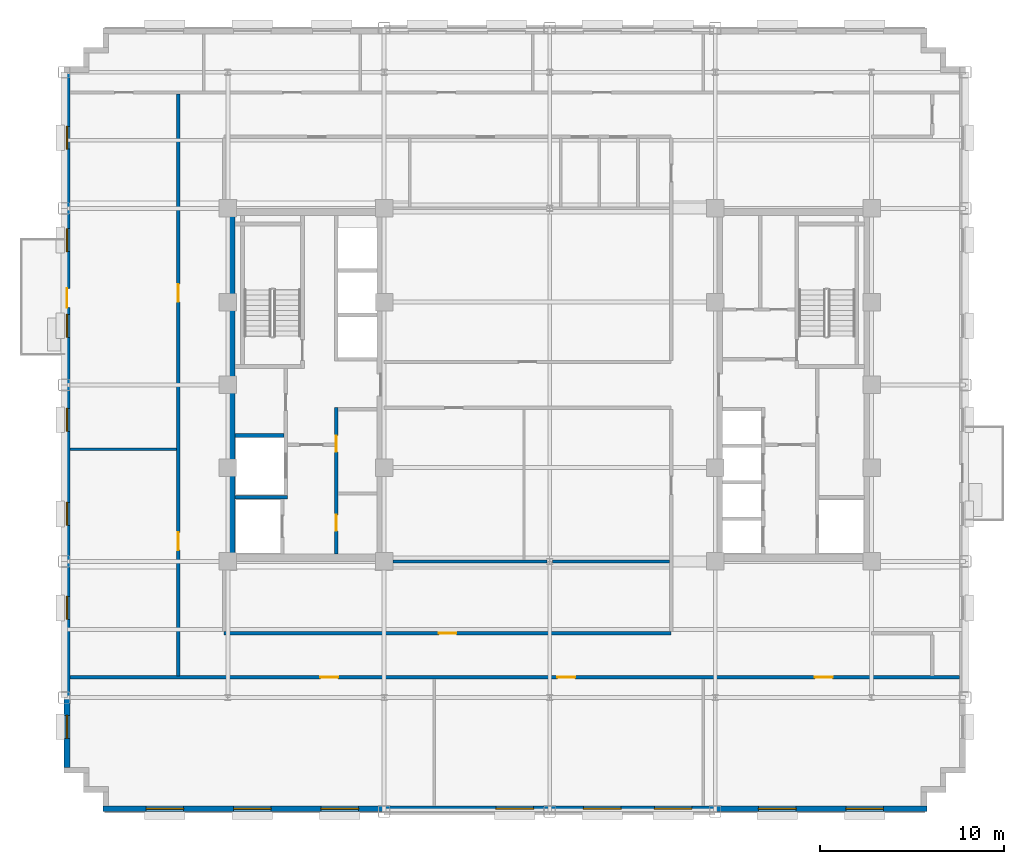
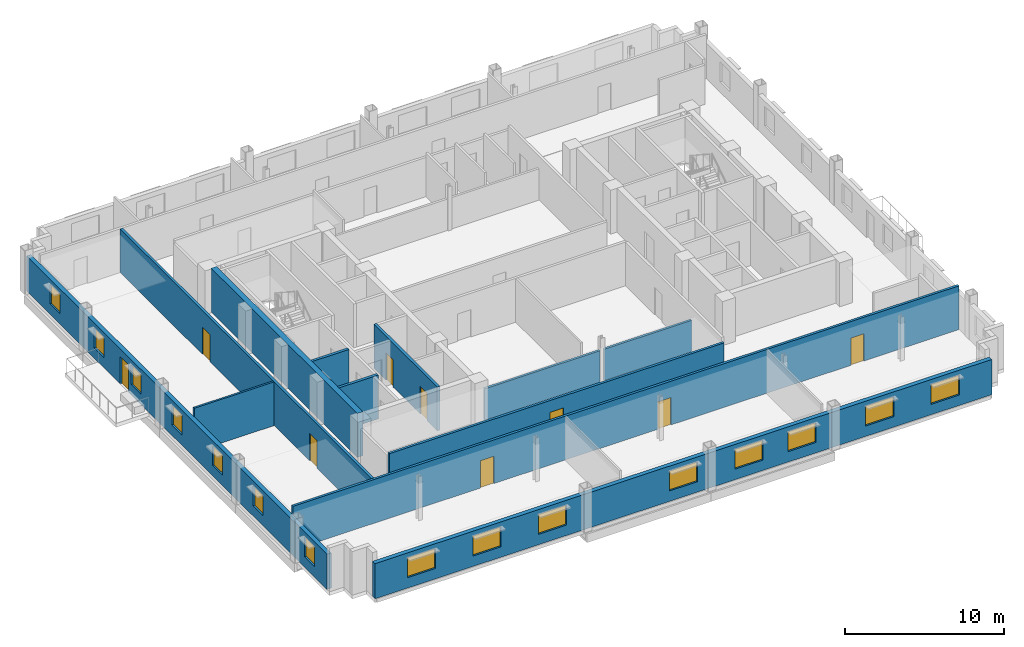
# One storey, part 7 of 14: 15 windows, 12 walls, 9 doors, 24 openings.
"""IFC4 building model written with IfcOpenShell, lengths in metres."""

from ifc_helpers import new_model, si_unit, direction, frame, frame_2d, origin, place, context, subcontext, project, spatial, rectangle, extrude, source, transform, mapped, material, layer, layer_set, type_object, type_shapes, element, fill, save


model = new_model("IFC4")

# Units and contexts
model_context = context("Model", 3, precision=1e-05, world=origin(), true_north=direction((0.0, 1.0)))
body_context = subcontext(model_context, "Body", "Model", "MODEL_VIEW")
ifc_project = project(units=[si_unit("LENGTHUNIT", "METRE"), si_unit("AREAUNIT", "SQUARE_METRE"), si_unit("VOLUMEUNIT", "CUBIC_METRE"), si_unit("PLANEANGLEUNIT", "RADIAN"), si_unit("MASSUNIT", "GRAM", prefix="KILO")], contexts=[model_context])

# Site, building, storey
site_placement = place(None, origin())
site = spatial("IfcSite", under=ifc_project, at=site_placement, CompositionType="ELEMENT")
building_placement = place(site_placement, origin())
building = spatial("IfcBuilding", under=site, at=building_placement, Name="Nuvemarco Arch Tower", CompositionType="ELEMENT")
storey_placement = place(building_placement, frame((0.0, 0.0, 174.949951171875)))
storey = spatial("IfcBuildingStorey", under=building, at=storey_placement, Name="L46", CompositionType="ELEMENT", Elevation=174.949951171875)

# Wall, openings, windows
ifc_material_1 = material(Name="Precast concrete C45/55", Category="concrete")
ifc_layer_1 = layer(ifc_material_1, 0.31005859375, Name="EW-UPP-310")
ifc_layer_set_1 = layer_set([ifc_layer_1], Name="Precast concrete C45/55")
wall_type_1 = type_object("IfcWallType", Name="EW-UPP-310", PredefinedType="STANDARD", material=ifc_layer_set_1)
wall_1_placement = place(storey_placement, frame((-24.300048828125, -23.044921875, 0.0), z_axis=(0.0, 0.0, 1.0), x_axis=(1.0, 0.0, 0.0)))
wall_1 = element("IfcWall", 1, at=wall_1_placement, inside=storey, type_object=wall_type_1, Name="L46 exterior precast facade wall 1", PredefinedType="STANDARD", context=body_context, shape_type="SweptSolid", body=[
    extrude(rectangle(XDim=44.800048828125, YDim=0.31005859375, at=frame_2d((22.39990234375, 0.0))), origin(), (0.0, 0.0, 1.0), 2.705078125),
])
opening_1_placement = place(wall_1_placement, frame((2.352783203125, 0.0, 0.800048828125)))
opening_1 = element("IfcOpeningElement", 2, at=opening_1_placement, cuts=wall_1, Name="Opening WN-12", PredefinedType="OPENING", context=body_context, shape_type="SweptSolid", body=[
    extrude(rectangle(XDim=2.050048828125, YDim=1.52001953125, at=frame_2d((1.02490234375, 0.760009765625))), frame((0.0, 0.1650390625, 0.0), z_axis=(0.0, -1.0, 0.0), x_axis=(1.0, 0.0, 0.0)), (0.0, 0.0, 1.0), 0.330078125),
])
opening_2_placement = place(wall_1_placement, frame((7.1083984375, 0.0, 0.800048828125)))
opening_2 = element("IfcOpeningElement", 3, at=opening_2_placement, cuts=wall_1, Name="Opening WN-12", PredefinedType="OPENING", context=body_context, shape_type="SweptSolid", body=[
    extrude(rectangle(XDim=2.050048828125, YDim=1.52001953125, at=frame_2d((1.02490234375, 0.760009765625))), frame((0.0, 0.1650390625, 0.0), z_axis=(0.0, -1.0, 0.0), x_axis=(1.0, 0.0, 0.0)), (0.0, 0.0, 1.0), 0.330078125),
])
opening_3_placement = place(wall_1_placement, frame((11.864013671875, 0.0, 0.800048828125)))
opening_3 = element("IfcOpeningElement", 4, at=opening_3_placement, cuts=wall_1, Name="Opening WN-12", PredefinedType="OPENING", context=body_context, shape_type="SweptSolid", body=[
    extrude(rectangle(XDim=2.050048828125, YDim=1.52001953125, at=frame_2d((1.02490234375, 0.760009765625))), frame((0.0, 0.1650390625, 0.0), z_axis=(0.0, -1.0, 0.0), x_axis=(1.0, 0.0, 0.0)), (0.0, 0.0, 1.0), 0.330078125),
])
opening_4_placement = place(wall_1_placement, frame((21.375, 0.0, 0.800048828125)))
opening_4 = element("IfcOpeningElement", 5, at=opening_4_placement, cuts=wall_1, Name="Opening WN-12", PredefinedType="OPENING", context=body_context, shape_type="SweptSolid", body=[
    extrude(rectangle(XDim=2.050048828125, YDim=1.52001953125, at=frame_2d((1.02490234375, 0.760009765625))), frame((0.0, 0.1650390625, 0.0), z_axis=(0.0, -1.0, 0.0), x_axis=(1.0, 0.0, 0.0)), (0.0, 0.0, 1.0), 0.330078125),
])
opening_5_placement = place(wall_1_placement, frame((26.130615234375, 0.0, 0.800048828125)))
opening_5 = element("IfcOpeningElement", 6, at=opening_5_placement, cuts=wall_1, Name="Opening WN-12", PredefinedType="OPENING", context=body_context, shape_type="SweptSolid", body=[
    extrude(rectangle(XDim=2.050048828125, YDim=1.52001953125, at=frame_2d((1.02490234375, 0.760009765625))), frame((0.0, 0.1650390625, 0.0), z_axis=(0.0, -1.0, 0.0), x_axis=(1.0, 0.0, 0.0)), (0.0, 0.0, 1.0), 0.330078125),
])
opening_6_placement = place(wall_1_placement, frame((29.986083984375, 0.0, 0.800048828125)))
opening_6 = element("IfcOpeningElement", 7, at=opening_6_placement, cuts=wall_1, Name="Opening WN-12", PredefinedType="OPENING", context=body_context, shape_type="SweptSolid", body=[
    extrude(rectangle(XDim=2.050048828125, YDim=1.52001953125, at=frame_2d((1.02490234375, 0.760009765625))), frame((0.0, 0.1650390625, 0.0), z_axis=(0.0, -1.0, 0.0), x_axis=(1.0, 0.0, 0.0)), (0.0, 0.0, 1.0), 0.330078125),
])
opening_7_placement = place(wall_1_placement, frame((35.6416015625, 0.0, 0.800048828125)))
opening_7 = element("IfcOpeningElement", 8, at=opening_7_placement, cuts=wall_1, Name="Opening WN-12", PredefinedType="OPENING", context=body_context, shape_type="SweptSolid", body=[
    extrude(rectangle(XDim=2.050048828125, YDim=1.52001953125, at=frame_2d((1.02490234375, 0.760009765625))), frame((0.0, 0.1650390625, 0.0), z_axis=(0.0, -1.0, 0.0), x_axis=(1.0, 0.0, 0.0)), (0.0, 0.0, 1.0), 0.330078125),
])
opening_8_placement = place(wall_1_placement, frame((40.397216796875, 0.0, 0.800048828125)))
opening_8 = element("IfcOpeningElement", 9, at=opening_8_placement, cuts=wall_1, Name="Opening WN-12", PredefinedType="OPENING", context=body_context, shape_type="SweptSolid", body=[
    extrude(rectangle(XDim=2.050048828125, YDim=1.52001953125, at=frame_2d((1.02490234375, 0.760009765625))), frame((0.0, 0.1650390625, 0.0), z_axis=(0.0, -1.0, 0.0), x_axis=(1.0, 0.0, 0.0)), (0.0, 0.0, 1.0), 0.330078125),
])
ifc_material_2 = material(Name="Insulated solar-control glass", Category="glass")
window_type_1 = type_object("IfcWindowType", Name="WN-SET-2050x1520", PartitioningType="DOUBLE_PANEL_VERTICAL", PredefinedType="WINDOW", material=ifc_material_2)
shared_shape_1 = source(origin(), body_context, "Body", "SweptSolid", [
    extrude(rectangle(XDim=2.050048828125, YDim=1.52001953125, at=frame_2d((1.02490234375, 0.760009765625))), frame((0.0, 0.030029296875, 0.0), z_axis=(0.0, -1.0, 0.0), x_axis=(1.0, 0.0, 0.0)), (0.0, 0.0, 1.0), 0.06005859375),
])
type_shapes(window_type_1, [shared_shape_1])
window_1_placement = place(opening_1_placement, origin())
window_1 = element("IfcWindow", 10, at=window_1_placement, inside=storey, type_object=window_type_1, Name="L46 punched facade window 1", OverallHeight=1.52001953125, OverallWidth=2.050048828125, PartitioningType="SINGLE_PANEL", PredefinedType="WINDOW", context=body_context, shape_type="MappedRepresentation", body=[
    mapped(shared_shape_1, transform((0.0, 0.0, 0.0), scale=1.0)),
])
fill(opening_1, window_1)
window_2_placement = place(opening_2_placement, origin())
window_2 = element("IfcWindow", 11, at=window_2_placement, inside=storey, type_object=window_type_1, Name="L46 punched facade window 2", OverallHeight=1.52001953125, OverallWidth=2.050048828125, PartitioningType="SINGLE_PANEL", PredefinedType="WINDOW", context=body_context, shape_type="MappedRepresentation", body=[
    mapped(shared_shape_1, transform((0.0, 0.0, 0.0), scale=1.0)),
])
fill(opening_2, window_2)
window_3_placement = place(opening_3_placement, origin())
window_3 = element("IfcWindow", 12, at=window_3_placement, inside=storey, type_object=window_type_1, Name="L46 punched facade window 3", OverallHeight=1.52001953125, OverallWidth=2.050048828125, PartitioningType="SINGLE_PANEL", PredefinedType="WINDOW", context=body_context, shape_type="MappedRepresentation", body=[
    mapped(shared_shape_1, transform((0.0, 0.0, 0.0), scale=1.0)),
])
fill(opening_3, window_3)
window_4_placement = place(opening_4_placement, origin())
window_4 = element("IfcWindow", 13, at=window_4_placement, inside=storey, type_object=window_type_1, Name="L46 punched facade window 5", OverallHeight=1.52001953125, OverallWidth=2.050048828125, PartitioningType="SINGLE_PANEL", PredefinedType="WINDOW", context=body_context, shape_type="MappedRepresentation", body=[
    mapped(shared_shape_1, transform((0.0, 0.0, 0.0), scale=1.0)),
])
fill(opening_4, window_4)
window_5_placement = place(opening_5_placement, origin())
window_5 = element("IfcWindow", 14, at=window_5_placement, inside=storey, type_object=window_type_1, Name="L46 punched facade window 6", OverallHeight=1.52001953125, OverallWidth=2.050048828125, PartitioningType="SINGLE_PANEL", PredefinedType="WINDOW", context=body_context, shape_type="MappedRepresentation", body=[
    mapped(shared_shape_1, transform((0.0, 0.0, 0.0), scale=1.0)),
])
fill(opening_5, window_5)
window_6_placement = place(opening_6_placement, origin())
window_6 = element("IfcWindow", 15, at=window_6_placement, inside=storey, type_object=window_type_1, Name="L46 punched facade window 7", OverallHeight=1.52001953125, OverallWidth=2.050048828125, PartitioningType="SINGLE_PANEL", PredefinedType="WINDOW", context=body_context, shape_type="MappedRepresentation", body=[
    mapped(shared_shape_1, transform((0.0, 0.0, 0.0), scale=1.0)),
])
fill(opening_6, window_6)
window_7_placement = place(opening_7_placement, origin())
window_7 = element("IfcWindow", 16, at=window_7_placement, inside=storey, type_object=window_type_1, Name="L46 punched facade window 8", OverallHeight=1.52001953125, OverallWidth=2.050048828125, PartitioningType="SINGLE_PANEL", PredefinedType="WINDOW", context=body_context, shape_type="MappedRepresentation", body=[
    mapped(shared_shape_1, transform((0.0, 0.0, 0.0), scale=1.0)),
])
fill(opening_7, window_7)
window_8_placement = place(opening_8_placement, origin())
window_8 = element("IfcWindow", 17, at=window_8_placement, inside=storey, type_object=window_type_1, Name="L46 punched facade window 9", OverallHeight=1.52001953125, OverallWidth=2.050048828125, PartitioningType="SINGLE_PANEL", PredefinedType="WINDOW", context=body_context, shape_type="MappedRepresentation", body=[
    mapped(shared_shape_1, transform((0.0, 0.0, 0.0), scale=1.0)),
])
fill(opening_8, window_8)

# Wall, openings, door, windows
wall_2_placement = place(storey_placement, frame((-26.2451171875, -20.7939453125, 0.0), z_axis=(0.0, 0.0, 1.0), x_axis=(0.0, 1.0, 0.0)))
wall_2 = element("IfcWall", 18, at=wall_2_placement, inside=storey, type_object=wall_type_1, Name="L46 exterior precast facade wall 16", PredefinedType="STANDARD", context=body_context, shape_type="SweptSolid", body=[
    extrude(rectangle(XDim=37.787841796875, YDim=0.31005859375, at=frame_2d((18.89404296875, 0.0))), origin(), (0.0, 0.0, 1.0), 2.705078125),
])
opening_9_placement = place(wall_2_placement, frame((24.993896484375, 0.0, 0.0)))
opening_9 = element("IfcOpeningElement", 19, at=opening_9_placement, cuts=wall_2, Name="Opening ED-5", PredefinedType="OPENING", context=body_context, shape_type="SweptSolid", body=[
    extrude(rectangle(XDim=1.050048828125, YDim=2.10009765625, at=frame_2d((0.52490234375, 1.050048828125))), frame((0.0, 0.1650390625, 0.0), z_axis=(0.0, -1.0, 0.0), x_axis=(1.0, 0.0, 0.0)), (0.0, 0.0, 1.0), 0.330078125),
])
opening_10_placement = place(wall_2_placement, frame((1.581298828125, 0.0, 0.800048828125)))
opening_10 = element("IfcOpeningElement", 20, at=opening_10_placement, cuts=wall_2, Name="Opening WN-13", PredefinedType="OPENING", context=body_context, shape_type="SweptSolid", body=[
    extrude(rectangle(XDim=1.25, YDim=1.52001953125, at=frame_2d((0.625, 0.760009765625))), frame((0.0, 0.1650390625, 0.0), z_axis=(0.0, -1.0, 0.0), x_axis=(1.0, 0.0, 0.0)), (0.0, 0.0, 1.0), 0.330078125),
])
opening_11_placement = place(wall_2_placement, frame((8.0439453125, 0.0, 0.800048828125)))
opening_11 = element("IfcOpeningElement", 21, at=opening_11_placement, cuts=wall_2, Name="Opening WN-13", PredefinedType="OPENING", context=body_context, shape_type="SweptSolid", body=[
    extrude(rectangle(XDim=1.25, YDim=1.52001953125, at=frame_2d((0.625, 0.760009765625))), frame((0.0, 0.1650390625, 0.0), z_axis=(0.0, -1.0, 0.0), x_axis=(1.0, 0.0, 0.0)), (0.0, 0.0, 1.0), 0.330078125),
])
opening_12_placement = place(wall_2_placement, frame((13.156494140625, 0.0, 0.800048828125)))
opening_12 = element("IfcOpeningElement", 22, at=opening_12_placement, cuts=wall_2, Name="Opening WN-13", PredefinedType="OPENING", context=body_context, shape_type="SweptSolid", body=[
    extrude(rectangle(XDim=1.25, YDim=1.52001953125, at=frame_2d((0.625, 0.760009765625))), frame((0.0, 0.1650390625, 0.0), z_axis=(0.0, -1.0, 0.0), x_axis=(1.0, 0.0, 0.0)), (0.0, 0.0, 1.0), 0.330078125),
])
opening_13_placement = place(wall_2_placement, frame((18.26904296875, 0.0, 0.800048828125)))
opening_13 = element("IfcOpeningElement", 23, at=opening_13_placement, cuts=wall_2, Name="Opening WN-13", PredefinedType="OPENING", context=body_context, shape_type="SweptSolid", body=[
    extrude(rectangle(XDim=1.25, YDim=1.52001953125, at=frame_2d((0.625, 0.760009765625))), frame((0.0, 0.1650390625, 0.0), z_axis=(0.0, -1.0, 0.0), x_axis=(1.0, 0.0, 0.0)), (0.0, 0.0, 1.0), 0.330078125),
])
opening_14_placement = place(wall_2_placement, frame((23.381591796875, 0.0, 0.800048828125)))
opening_14 = element("IfcOpeningElement", 24, at=opening_14_placement, cuts=wall_2, Name="Opening WN-13", PredefinedType="OPENING", context=body_context, shape_type="SweptSolid", body=[
    extrude(rectangle(XDim=1.25, YDim=1.52001953125, at=frame_2d((0.625, 0.760009765625))), frame((0.0, 0.1650390625, 0.0), z_axis=(0.0, -1.0, 0.0), x_axis=(1.0, 0.0, 0.0)), (0.0, 0.0, 1.0), 0.330078125),
])
opening_15_placement = place(wall_2_placement, frame((28.044189453125, 0.0, 0.800048828125)))
opening_15 = element("IfcOpeningElement", 25, at=opening_15_placement, cuts=wall_2, Name="Opening WN-13", PredefinedType="OPENING", context=body_context, shape_type="SweptSolid", body=[
    extrude(rectangle(XDim=1.25, YDim=1.52001953125, at=frame_2d((0.625, 0.760009765625))), frame((0.0, 0.1650390625, 0.0), z_axis=(0.0, -1.0, 0.0), x_axis=(1.0, 0.0, 0.0)), (0.0, 0.0, 1.0), 0.330078125),
])
opening_16_placement = place(wall_2_placement, frame((33.606689453125, 0.0, 0.800048828125)))
opening_16 = element("IfcOpeningElement", 26, at=opening_16_placement, cuts=wall_2, Name="Opening WN-13", PredefinedType="OPENING", context=body_context, shape_type="SweptSolid", body=[
    extrude(rectangle(XDim=1.25, YDim=1.52001953125, at=frame_2d((0.625, 0.760009765625))), frame((0.0, 0.1650390625, 0.0), z_axis=(0.0, -1.0, 0.0), x_axis=(1.0, 0.0, 0.0)), (0.0, 0.0, 1.0), 0.330078125),
])
ifc_material_3 = material(Name="Anodised bronze and laminated glass", Category="glass")
door_type_1 = type_object("IfcDoorType", Name="DR-EXT-TERR", OperationType="NOTDEFINED", PredefinedType="DOOR", material=ifc_material_3)
shared_shape_2 = source(origin(), body_context, "Body", "SweptSolid", [
    extrude(rectangle(XDim=1.050048828125, YDim=2.10009765625, at=frame_2d((0.52490234375, 1.050048828125))), frame((0.0, 0.02490234375, 0.0), z_axis=(0.0, -1.0, 0.0), x_axis=(1.0, 0.0, 0.0)), (0.0, 0.0, 1.0), 0.050048828125),
])
type_shapes(door_type_1, [shared_shape_2])
door_1_placement = place(opening_9_placement, origin())
door_1 = element("IfcDoor", 27, at=door_1_placement, inside=storey, type_object=door_type_1, Name="L46 spiral terrace access door", OperationType="SINGLE_SWING_LEFT", OverallHeight=2.10009765625, OverallWidth=1.050048828125, PredefinedType="DOOR", context=body_context, shape_type="MappedRepresentation", body=[
    mapped(shared_shape_2, transform((0.0, 0.0, 0.0), scale=1.0)),
])
fill(opening_9, door_1)
window_type_2 = type_object("IfcWindowType", Name="WN-SET-1250x1520", PartitioningType="SINGLE_PANEL", PredefinedType="WINDOW", material=ifc_material_2)
shared_shape_3 = source(origin(), body_context, "Body", "SweptSolid", [
    extrude(rectangle(XDim=1.25, YDim=1.52001953125, at=frame_2d((0.625, 0.760009765625))), frame((0.0, 0.030029296875, 0.0), z_axis=(0.0, -1.0, 0.0), x_axis=(1.0, 0.0, 0.0)), (0.0, 0.0, 1.0), 0.06005859375),
])
type_shapes(window_type_2, [shared_shape_3])
window_9_placement = place(opening_10_placement, origin())
window_9 = element("IfcWindow", 28, at=window_9_placement, inside=storey, type_object=window_type_2, Name="L46 punched facade window 1", OverallHeight=1.52001953125, OverallWidth=1.25, PartitioningType="SINGLE_PANEL", PredefinedType="WINDOW", context=body_context, shape_type="MappedRepresentation", body=[
    mapped(shared_shape_3, transform((0.0, 0.0, 0.0), scale=1.0)),
])
fill(opening_10, window_9)
window_10_placement = place(opening_11_placement, origin())
window_10 = element("IfcWindow", 29, at=window_10_placement, inside=storey, type_object=window_type_2, Name="L46 punched facade window 2", OverallHeight=1.52001953125, OverallWidth=1.25, PartitioningType="SINGLE_PANEL", PredefinedType="WINDOW", context=body_context, shape_type="MappedRepresentation", body=[
    mapped(shared_shape_3, transform((0.0, 0.0, 0.0), scale=1.0)),
])
fill(opening_11, window_10)
window_11_placement = place(opening_12_placement, origin())
window_11 = element("IfcWindow", 30, at=window_11_placement, inside=storey, type_object=window_type_2, Name="L46 punched facade window 3", OverallHeight=1.52001953125, OverallWidth=1.25, PartitioningType="SINGLE_PANEL", PredefinedType="WINDOW", context=body_context, shape_type="MappedRepresentation", body=[
    mapped(shared_shape_3, transform((0.0, 0.0, 0.0), scale=1.0)),
])
fill(opening_12, window_11)
window_12_placement = place(opening_13_placement, origin())
window_12 = element("IfcWindow", 31, at=window_12_placement, inside=storey, type_object=window_type_2, Name="L46 punched facade window 4", OverallHeight=1.52001953125, OverallWidth=1.25, PartitioningType="SINGLE_PANEL", PredefinedType="WINDOW", context=body_context, shape_type="MappedRepresentation", body=[
    mapped(shared_shape_3, transform((0.0, 0.0, 0.0), scale=1.0)),
])
fill(opening_13, window_12)
window_13_placement = place(opening_14_placement, origin())
window_13 = element("IfcWindow", 32, at=window_13_placement, inside=storey, type_object=window_type_2, Name="L46 punched facade window 5", OverallHeight=1.52001953125, OverallWidth=1.25, PartitioningType="SINGLE_PANEL", PredefinedType="WINDOW", context=body_context, shape_type="MappedRepresentation", body=[
    mapped(shared_shape_3, transform((0.0, 0.0, 0.0), scale=1.0)),
])
fill(opening_14, window_13)
window_14_placement = place(opening_15_placement, origin())
window_14 = element("IfcWindow", 33, at=window_14_placement, inside=storey, type_object=window_type_2, Name="L46 punched facade window 6", OverallHeight=1.52001953125, OverallWidth=1.25, PartitioningType="SINGLE_PANEL", PredefinedType="WINDOW", context=body_context, shape_type="MappedRepresentation", body=[
    mapped(shared_shape_3, transform((0.0, 0.0, 0.0), scale=1.0)),
])
fill(opening_15, window_14)
window_15_placement = place(opening_16_placement, origin())
window_15 = element("IfcWindow", 34, at=window_15_placement, inside=storey, type_object=window_type_2, Name="L46 punched facade window 7", OverallHeight=1.52001953125, OverallWidth=1.25, PartitioningType="SINGLE_PANEL", PredefinedType="WINDOW", context=body_context, shape_type="MappedRepresentation", body=[
    mapped(shared_shape_3, transform((0.0, 0.0, 0.0), scale=1.0)),
])
fill(opening_16, window_15)

# Wall
ifc_material_4 = material(Name="Concrete C60/75", Category="concrete")
ifc_layer_2 = layer(ifc_material_4, 0.39990234375, Name="WL-CORE-400")
ifc_layer_set_2 = layer_set([ifc_layer_2], Name="Concrete C60/75")
wall_type_2 = type_object("IfcWallType", Name="WL-CORE-400", PredefinedType="SHEAR", material=ifc_layer_set_2)
wall_3_placement = place(storey_placement, frame((-17.300048828125, -9.205078125, 0.0), z_axis=(0.0, 0.0, 1.0), x_axis=(0.0, 1.0, 0.0)))
element("IfcWall", 35, at=wall_3_placement, inside=storey, type_object=wall_type_2, Name="L46 W-core shear wall W", PredefinedType="SHEAR", context=body_context, shape_type="SweptSolid", body=[
    extrude(rectangle(XDim=18.41015625, YDim=0.39990234375, at=frame_2d((9.205078125, 0.0))), origin(), (0.0, 0.0, 1.0), 3.3701171875),
])

# Wall, openings, doors
ifc_material_5 = material(Name="Fire-rated gypsum drywall partition")
ifc_layer_3 = layer(ifc_material_5, 0.179931640625, Name="WL-CORR-180")
ifc_layer_set_3 = layer_set([ifc_layer_3], Name="Fire-rated gypsum drywall partition")
wall_type_3 = type_object("IfcWallType", Name="WL-CORR-180", PredefinedType="PARTITIONING", material=ifc_layer_set_3)
wall_4_placement = place(storey_placement, frame((-26.090087890625, -15.89990234375, 0.0), z_axis=(0.0, 0.0, 1.0), x_axis=(1.0, 0.0, 0.0)))
wall_4 = element("IfcWall", 36, at=wall_4_placement, inside=storey, type_object=wall_type_3, Name="L46 interior wall IW-L46-001", PredefinedType="PARTITIONING", context=body_context, shape_type="SweptSolid", body=[
    extrude(rectangle(XDim=48.380126953125, YDim=0.179931640625, at=frame_2d((24.18994140625, 0.0))), origin(), (0.0, 0.0, 1.0), 3.360107421875),
])
opening_17_placement = place(wall_4_placement, frame((26.510009765625, 0.0, 0.0)))
opening_17 = element("IfcOpeningElement", 37, at=opening_17_placement, cuts=wall_4, Name="Opening FD-5", PredefinedType="OPENING", context=body_context, shape_type="SweptSolid", body=[
    extrude(rectangle(XDim=0.9599609375, YDim=2.10009765625, at=frame_2d((0.47998046875, 1.050048828125))), frame((0.0, 0.099853515625, 0.0), z_axis=(0.0, -1.0, 0.0), x_axis=(1.0, 0.0, 0.0)), (0.0, 0.0, 1.0), 0.199951171875),
])
opening_18_placement = place(wall_4_placement, frame((40.510009765625, 0.0, 0.0)))
opening_18 = element("IfcOpeningElement", 38, at=opening_18_placement, cuts=wall_4, Name="Opening FD-5", PredefinedType="OPENING", context=body_context, shape_type="SweptSolid", body=[
    extrude(rectangle(XDim=0.9599609375, YDim=2.10009765625, at=frame_2d((0.47998046875, 1.050048828125))), frame((0.0, 0.099853515625, 0.0), z_axis=(0.0, -1.0, 0.0), x_axis=(1.0, 0.0, 0.0)), (0.0, 0.0, 1.0), 0.199951171875),
])
opening_19_placement = place(wall_4_placement, frame((13.6201171875, 0.0, 0.0)))
opening_19 = element("IfcOpeningElement", 39, at=opening_19_placement, cuts=wall_4, Name="Opening FD-5", PredefinedType="OPENING", context=body_context, shape_type="SweptSolid", body=[
    extrude(rectangle(XDim=0.9599609375, YDim=2.10009765625, at=frame_2d((0.47998046875, 1.050048828125))), frame((0.0, 0.099853515625, 0.0), z_axis=(0.0, -1.0, 0.0), x_axis=(1.0, 0.0, 0.0)), (0.0, 0.0, 1.0), 0.199951171875),
])
ifc_material_6 = material(Name="Timber fire door", Category="wood")
door_type_2 = type_object("IfcDoorType", Name="DR-CORR-FD", OperationType="NOTDEFINED", PredefinedType="DOOR", material=ifc_material_6)
shared_shape_4 = source(origin(), body_context, "Body", "SweptSolid", [
    extrude(rectangle(XDim=0.9599609375, YDim=2.10009765625, at=frame_2d((0.47998046875, 1.050048828125))), frame((0.0, 0.02490234375, 0.0), z_axis=(0.0, -1.0, 0.0), x_axis=(1.0, 0.0, 0.0)), (0.0, 0.0, 1.0), 0.050048828125),
])
type_shapes(door_type_2, [shared_shape_4])
door_2_placement = place(opening_17_placement, origin())
door_2 = element("IfcDoor", 40, at=door_2_placement, inside=storey, type_object=door_type_2, Name="L46 door DR-L46-S_2", OperationType="SINGLE_SWING_RIGHT", OverallHeight=2.10009765625, OverallWidth=0.9599609375, PredefinedType="DOOR", context=body_context, shape_type="MappedRepresentation", body=[
    mapped(shared_shape_4, transform((0.0, 0.0, 0.0), scale=1.0)),
])
fill(opening_17, door_2)
door_3_placement = place(opening_18_placement, origin())
door_3 = element("IfcDoor", 41, at=door_3_placement, inside=storey, type_object=door_type_2, Name="L46 door DR-L46-S_3", OperationType="SINGLE_SWING_RIGHT", OverallHeight=2.10009765625, OverallWidth=0.9599609375, PredefinedType="DOOR", context=body_context, shape_type="MappedRepresentation", body=[
    mapped(shared_shape_4, transform((0.0, 0.0, 0.0), scale=1.0)),
])
fill(opening_18, door_3)
door_4_placement = place(opening_19_placement, origin())
door_4 = element("IfcDoor", 42, at=door_4_placement, inside=storey, type_object=door_type_2, Name="L46 door DR-L46-S_1", OperationType="SINGLE_SWING_LEFT", OverallHeight=2.10009765625, OverallWidth=0.9599609375, PredefinedType="DOOR", context=body_context, shape_type="MappedRepresentation", body=[
    mapped(shared_shape_4, transform((0.0, 0.0, 0.0), scale=1.0)),
])
fill(opening_19, door_4)

# Wall, opening, door
wall_5_placement = place(storey_placement, frame((-17.699951171875, -13.5, 0.0), z_axis=(0.0, 0.0, 1.0), x_axis=(1.0, 0.0, 0.0)))
wall_5 = element("IfcWall", 43, at=wall_5_placement, inside=storey, type_object=wall_type_3, Name="L46 interior wall IW-L46-002", PredefinedType="PARTITIONING", context=body_context, shape_type="SweptSolid", body=[
    extrude(rectangle(XDim=24.300048828125, YDim=0.179931640625, at=frame_2d((12.14990234375, 0.0))), origin(), (0.0, 0.0, 1.0), 3.008056640625),
])
opening_20_placement = place(wall_5_placement, frame((11.669921875, 0.0, 0.0)))
opening_20 = element("IfcOpeningElement", 44, at=opening_20_placement, cuts=wall_5, Name="Opening FD-5", PredefinedType="OPENING", context=body_context, shape_type="SweptSolid", body=[
    extrude(rectangle(XDim=0.9599609375, YDim=2.10009765625, at=frame_2d((0.47998046875, 1.050048828125))), frame((0.0, 0.099853515625, 0.0), z_axis=(0.0, -1.0, 0.0), x_axis=(1.0, 0.0, 0.0)), (0.0, 0.0, 1.0), 0.199951171875),
])
door_5_placement = place(opening_20_placement, origin())
door_5 = element("IfcDoor", 45, at=door_5_placement, inside=storey, type_object=door_type_2, Name="L46 door DR-L46-IN_S1", OperationType="SINGLE_SWING_LEFT", OverallHeight=2.10009765625, OverallWidth=0.9599609375, PredefinedType="DOOR", context=body_context, shape_type="MappedRepresentation", body=[
    mapped(shared_shape_4, transform((0.0, 0.0, 0.0), scale=1.0)),
])
fill(opening_20, door_5)

# Wall, openings, doors
wall_6_placement = place(storey_placement, frame((-20.199951171875, -15.81396484375, 0.0), z_axis=(0.0, 0.0, 1.0), x_axis=(0.0, 1.0, 0.0)))
wall_6 = element("IfcWall", 46, at=wall_6_placement, inside=storey, type_object=wall_type_3, Name="L46 interior wall IW-L46-014", PredefinedType="PARTITIONING", context=body_context, shape_type="SweptSolid", body=[
    extrude(rectangle(XDim=31.6279296875, YDim=0.179931640625, at=frame_2d((15.81396484375, 0.0))), origin(), (0.0, 0.0, 1.0), 3.360107421875),
])
opening_21_placement = place(wall_6_placement, frame((20.333984375, 0.0, 0.0)))
opening_21 = element("IfcOpeningElement", 47, at=opening_21_placement, cuts=wall_6, Name="Opening FD-5", PredefinedType="OPENING", context=body_context, shape_type="SweptSolid", body=[
    extrude(rectangle(XDim=0.9599609375, YDim=2.10009765625, at=frame_2d((0.47998046875, 1.050048828125))), frame((0.0, 0.099853515625, 0.0), z_axis=(0.0, -1.0, 0.0), x_axis=(1.0, 0.0, 0.0)), (0.0, 0.0, 1.0), 0.199951171875),
])
opening_22_placement = place(wall_6_placement, frame((6.833984375, 0.0, 0.0)))
opening_22 = element("IfcOpeningElement", 48, at=opening_22_placement, cuts=wall_6, Name="Opening FD-5", PredefinedType="OPENING", context=body_context, shape_type="SweptSolid", body=[
    extrude(rectangle(XDim=0.9599609375, YDim=2.10009765625, at=frame_2d((0.47998046875, 1.050048828125))), frame((0.0, 0.099853515625, 0.0), z_axis=(0.0, -1.0, 0.0), x_axis=(1.0, 0.0, 0.0)), (0.0, 0.0, 1.0), 0.199951171875),
])
door_6_placement = place(opening_21_placement, origin())
door_6 = element("IfcDoor", 49, at=door_6_placement, inside=storey, type_object=door_type_2, Name="L46 door DR-L46-W_2", OperationType="SINGLE_SWING_RIGHT", OverallHeight=2.10009765625, OverallWidth=0.9599609375, PredefinedType="DOOR", context=body_context, shape_type="MappedRepresentation", body=[
    mapped(shared_shape_4, transform((0.0, 0.0, 0.0), scale=1.0)),
])
fill(opening_21, door_6)
door_7_placement = place(opening_22_placement, origin())
door_7 = element("IfcDoor", 50, at=door_7_placement, inside=storey, type_object=door_type_2, Name="L46 door DR-L46-W_1", OperationType="SINGLE_SWING_LEFT", OverallHeight=2.10009765625, OverallWidth=0.9599609375, PredefinedType="DOOR", context=body_context, shape_type="MappedRepresentation", body=[
    mapped(shared_shape_4, transform((0.0, 0.0, 0.0), scale=1.0)),
])
fill(opening_22, door_7)

# Walls
ifc_material_7 = material(Name="Gypsum plasterboard partition")
ifc_layer_4 = layer(ifc_material_7, 0.139892578125, Name="WL-ROOM-140")
ifc_layer_set_4 = layer_set([ifc_layer_4], Name="Gypsum plasterboard partition")
wall_type_4 = type_object("IfcWallType", Name="WL-ROOM-140", PredefinedType="PARTITIONING", material=ifc_layer_set_4)
wall_7_placement = place(storey_placement, frame((-26.090087890625, -3.5, 0.0), z_axis=(0.0, 0.0, 1.0), x_axis=(1.0, 0.0, 0.0)))
element("IfcWall", 51, at=wall_7_placement, inside=storey, type_object=wall_type_4, Name="L46 interior wall IW-L46-006", PredefinedType="PARTITIONING", context=body_context, shape_type="SweptSolid", body=[
    extrude(rectangle(XDim=5.80419921875, YDim=0.139892578125, at=frame_2d((2.902099609375, 0.0))), origin(), (0.0, 0.0, 1.0), 3.360107421875),
])
ifc_material_8 = material(Name="Concrete C50/60", Category="concrete")
ifc_layer_5 = layer(ifc_material_8, 0.199951171875, Name="WL-SHAFT-220")
ifc_layer_set_5 = layer_set([ifc_layer_5], Name="Concrete C50/60")
wall_type_5 = type_object("IfcWallType", Name="WL-SHAFT-220", PredefinedType="SHEAR", material=ifc_layer_set_5)
wall_8_placement = place(storey_placement, frame((-17.10498046875, -6.10009765625, 0.0), z_axis=(0.0, 0.0, 1.0), x_axis=(1.0, 0.0, 0.0)))
element("IfcWall", 52, at=wall_8_placement, inside=storey, type_object=wall_type_5, Name="L46 structural shaft wall SW-L46-W-SH1", PredefinedType="SHEAR", context=body_context, shape_type="SweptSolid", body=[
    extrude(rectangle(XDim=2.85498046875, YDim=0.199951171875, at=frame_2d((1.427490234375, 0.0))), origin(), (0.0, 0.0, 1.0), 3.3701171875),
])
wall_9_placement = place(storey_placement, frame((-17.10498046875, -2.75, 0.0), z_axis=(0.0, 0.0, 1.0), x_axis=(1.0, 0.0, 0.0)))
element("IfcWall", 53, at=wall_9_placement, inside=storey, type_object=wall_type_5, Name="L46 structural shaft wall SW-L46-W-SH2", PredefinedType="SHEAR", context=body_context, shape_type="SweptSolid", body=[
    extrude(rectangle(XDim=2.659912109375, YDim=0.199951171875, at=frame_2d((1.330078125, 0.0))), origin(), (0.0, 0.0, 1.0), 3.3701171875),
])

# Wall, openings, doors
wall_10_placement = place(storey_placement, frame((-11.60009765625, -9.205078125, 0.0), z_axis=(0.0, 0.0, 1.0), x_axis=(0.0, 1.0, 0.0)))
wall_10 = element("IfcWall", 54, at=wall_10_placement, inside=storey, type_object=wall_type_5, Name="L46 structural shaft wall SW-L46-W-PLW", PredefinedType="SHEAR", context=body_context, shape_type="SweptSolid", body=[
    extrude(rectangle(XDim=7.97509765625, YDim=0.199951171875, at=frame_2d((3.987548828125, 0.0))), origin(), (0.0, 0.0, 1.0), 3.3701171875),
])
opening_23_placement = place(wall_10_placement, frame((1.264892578125, 0.0, 0.0)))
opening_23 = element("IfcOpeningElement", 55, at=opening_23_placement, cuts=wall_10, Name="Opening FD-4", PredefinedType="OPENING", context=body_context, shape_type="SweptSolid", body=[
    extrude(rectangle(XDim=0.8798828125, YDim=2.10009765625, at=frame_2d((0.43994140625, 1.050048828125))), frame((0.0, 0.10986328125, 0.0), z_axis=(0.0, -1.0, 0.0), x_axis=(1.0, 0.0, 0.0)), (0.0, 0.0, 1.0), 0.219970703125),
])
opening_24_placement = place(wall_10_placement, frame((5.56494140625, 0.0, 0.0)))
opening_24 = element("IfcOpeningElement", 56, at=opening_24_placement, cuts=wall_10, Name="Opening FD-4", PredefinedType="OPENING", context=body_context, shape_type="SweptSolid", body=[
    extrude(rectangle(XDim=0.8798828125, YDim=2.10009765625, at=frame_2d((0.43994140625, 1.050048828125))), frame((0.0, 0.10986328125, 0.0), z_axis=(0.0, -1.0, 0.0), x_axis=(1.0, 0.0, 0.0)), (0.0, 0.0, 1.0), 0.219970703125),
])
ifc_material_9 = material(Name="Anodised steel fire door", Category="steel")
door_type_3 = type_object("IfcDoorType", Name="DR-RISER-FD", OperationType="NOTDEFINED", PredefinedType="DOOR", material=ifc_material_9)
shared_shape_5 = source(origin(), body_context, "Body", "SweptSolid", [
    extrude(rectangle(XDim=0.8798828125, YDim=2.10009765625, at=frame_2d((0.43994140625, 1.050048828125))), frame((0.0, 0.02490234375, 0.0), z_axis=(0.0, -1.0, 0.0), x_axis=(1.0, 0.0, 0.0)), (0.0, 0.0, 1.0), 0.050048828125),
])
type_shapes(door_type_3, [shared_shape_5])
door_8_placement = place(opening_23_placement, origin())
door_8 = element("IfcDoor", 57, at=door_8_placement, inside=storey, type_object=door_type_3, Name="L46 door FD-L46-WREC1", OperationType="SINGLE_SWING_RIGHT", OverallHeight=2.10009765625, OverallWidth=0.8798828125, PredefinedType="DOOR", context=body_context, shape_type="MappedRepresentation", body=[
    mapped(shared_shape_5, transform((0.0, 0.0, 0.0), scale=1.0)),
])
fill(opening_23, door_8)
door_9_placement = place(opening_24_placement, origin())
door_9 = element("IfcDoor", 58, at=door_9_placement, inside=storey, type_object=door_type_3, Name="L46 door FD-L46-WREC2", OperationType="SINGLE_SWING_LEFT", OverallHeight=2.10009765625, OverallWidth=0.8798828125, PredefinedType="DOOR", context=body_context, shape_type="MappedRepresentation", body=[
    mapped(shared_shape_5, transform((0.0, 0.0, 0.0), scale=1.0)),
])
fill(opening_24, door_9)

# Walls
ifc_material_10 = material(Name="Acoustic gypsum drywall partition")
ifc_layer_6 = layer(ifc_material_10, 0.159912109375, Name="WL-TENANT-160")
ifc_layer_set_6 = layer_set([ifc_layer_6], Name="Acoustic gypsum drywall partition")
wall_type_6 = type_object("IfcWallType", Name="WL-TENANT-160", PredefinedType="PARTITIONING", material=ifc_layer_set_6)
wall_11_placement = place(storey_placement, frame((-8.529052734375, -9.60009765625, 0.0), z_axis=(0.0, 0.0, 1.0), x_axis=(1.0, 0.0, 0.0)))
element("IfcWall", 59, at=wall_11_placement, inside=storey, type_object=wall_type_6, Name="L46 interior wall IW-L46-004", PredefinedType="PARTITIONING", context=body_context, shape_type="SweptSolid", body=[
    extrude(rectangle(XDim=8.378173828125, YDim=0.159912109375, at=frame_2d((4.18896484375, 0.0))), origin(), (0.0, 0.0, 1.0), 2.405029296875),
])
wall_12_placement = place(storey_placement, frame((0.15087890625, -9.60009765625, 0.0), z_axis=(0.0, 0.0, 1.0), x_axis=(1.0, 0.0, 0.0)))
element("IfcWall", 60, at=wall_12_placement, inside=storey, type_object=wall_type_6, Name="L46 interior wall IW-L46-005", PredefinedType="PARTITIONING", context=body_context, shape_type="SweptSolid", body=[
    extrude(rectangle(XDim=6.363037109375, YDim=0.159912109375, at=frame_2d((3.181640625, 0.0))), origin(), (0.0, 0.0, 1.0), 2.405029296875),
])

save(model, "model.ifc")
